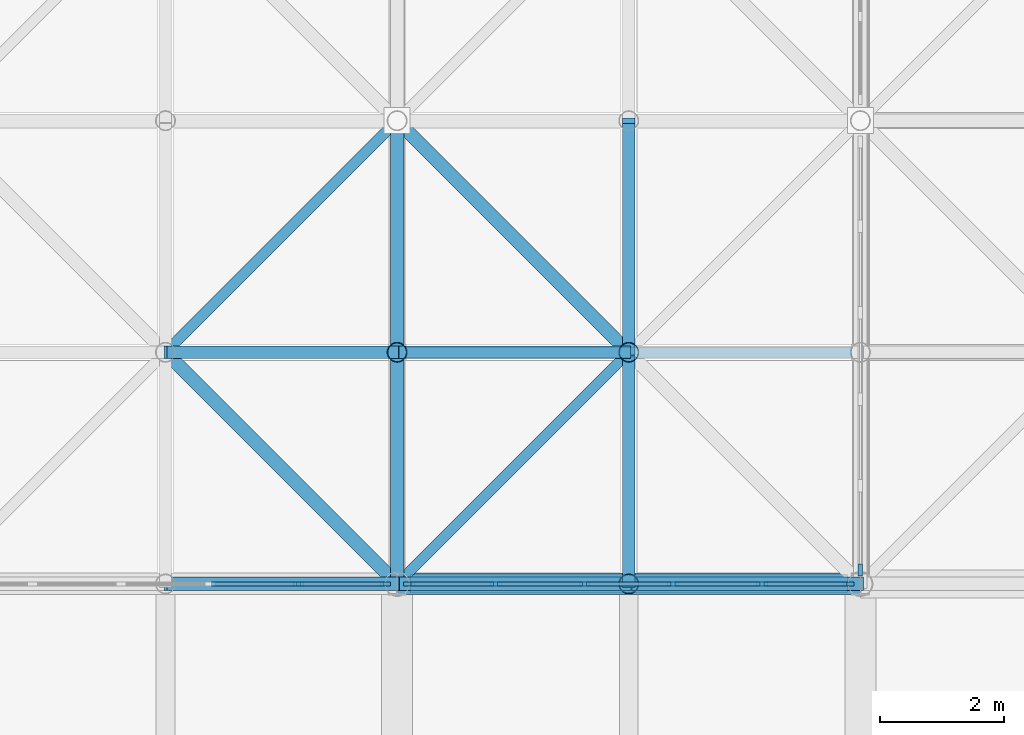
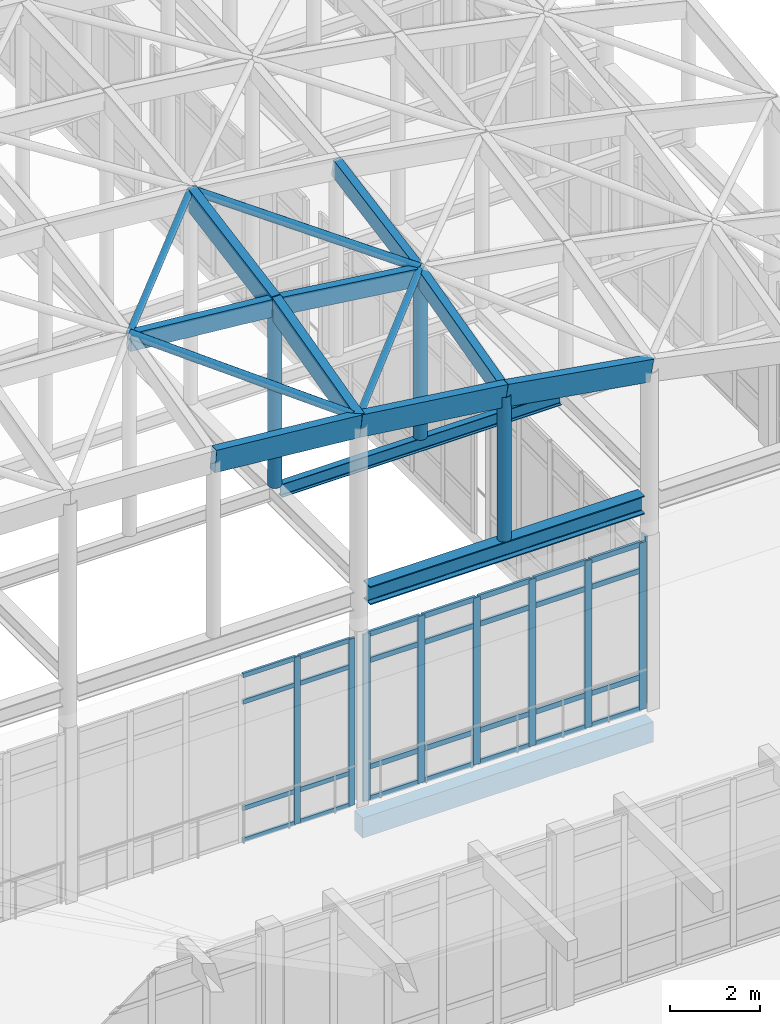
# One storey, part 42 of 131: 53 members, 3 beams, 3 elements without a shape of their own.
"""IFC4 building model written with IfcOpenShell, lengths in metres."""

from ifc_helpers import new_model, si_unit, direction, frame, origin, origin_2d, place, context, subcontext, project, spatial, rectangle, hollow_circle, i_section, extrude, material, layer, layer_set, material_profile, profile_set, type_object, element, aggregate, save


model = new_model("IFC4")

# Units and contexts
model_context = context("Model", 3, precision=1e-05, world=origin(), true_north=direction((0.0, 1.0)))
body_context = subcontext(model_context, "Body", "Model", "MODEL_VIEW")
ifc_project = project(units=[si_unit("LENGTHUNIT", "METRE"), si_unit("AREAUNIT", "SQUARE_METRE"), si_unit("VOLUMEUNIT", "CUBIC_METRE"), si_unit("PLANEANGLEUNIT", "RADIAN"), si_unit("MASSUNIT", "GRAM", prefix="KILO")], contexts=[model_context])

# Site, building, storey
site_placement = place(None, origin())
site = spatial("IfcSite", under=ifc_project, at=site_placement, CompositionType="ELEMENT")
building_placement = place(site_placement, origin())
building = spatial("IfcBuilding", under=site, at=building_placement, Name="Dalvernix Boulevard General Hospital", CompositionType="ELEMENT")
storey_placement = place(building_placement, frame((0.0, 0.0, 9.300048828125)))
storey = spatial("IfcBuildingStorey", under=building, at=storey_placement, Name="L02", CompositionType="ELEMENT", Elevation=9.300048828125)

# Beams
ifc_material_1 = material(Name="Steel S355", Category="steel")
ifc_material_profile_1 = material_profile(ifc_material_1, i_section(OverallWidth=0.300048828125, OverallDepth=0.5, WebThickness=0.014404296875, FlangeThickness=0.028076171875, FilletRadius=0.027099609375, at=origin_2d()), Name="HEB 500")
ifc_profile_set_1 = profile_set([ifc_material_profile_1], Name="Steel S355")
beam_type_1 = type_object("IfcBeamType", Name="BM-RB-02", PredefinedType="BEAM", material=ifc_profile_set_1)
beam_1_placement = place(storey_placement, frame((97.7099609375, 31.5, 5.64990234375), z_axis=(1.0, 0.0, 0.0), x_axis=(0.0, 1.0, 0.0)))
element("IfcBeam", 1, at=beam_1_placement, inside=storey, type_object=beam_type_1, Name="Gridshell Ring Beam S bay 6", PredefinedType="BEAM", context=body_context, shape_type="SweptSolid", body=[
    extrude(i_section(OverallWidth=0.300048828125, OverallDepth=0.5, WebThickness=0.014404296875, FlangeThickness=0.028076171875, FilletRadius=0.027099609375, at=origin_2d()), origin(), (0.0, 0.0, 1.0), 7.080078125),
])
ifc_material_profile_2 = material_profile(ifc_material_1, i_section(OverallWidth=0.169921875, OverallDepth=0.360107421875, WebThickness=0.008056640625, FlangeThickness=0.0126953125, FilletRadius=0.01806640625, at=origin_2d()), Name="IPE 360")
ifc_profile_set_2 = profile_set([ifc_material_profile_2], Name="Steel S355")
beam_type_2 = type_object("IfcBeamType", Name="BM-RB-08", PredefinedType="BEAM", material=ifc_profile_set_2)
beam_2_placement = place(storey_placement, frame((97.64208984375, 35.25, 6.219970703125), z_axis=(1.0, 0.0, 0.0), x_axis=(0.0, 1.0, 0.0)))
element("IfcBeam", 2, at=beam_2_placement, inside=storey, type_object=beam_type_2, Name="ROOF TRUSS Gridshell cross tie 10-1", PredefinedType="BEAM", context=body_context, shape_type="SweptSolid", body=[
    extrude(i_section(OverallWidth=0.169921875, OverallDepth=0.360107421875, WebThickness=0.008056640625, FlangeThickness=0.0126953125, FilletRadius=0.01806640625, at=origin_2d()), origin(), (0.0, 0.0, 1.0), 7.2158203125),
])
ifc_material_2 = material(Name="Concrete C35/45", Category="concrete")
ifc_material_profile_3 = material_profile(ifc_material_2, rectangle(XDim=0.35009765625, YDim=0.550048828125, at=origin_2d()), Name="RCB 350x550")
ifc_profile_set_3 = profile_set([ifc_material_profile_3], Name="Concrete C35/45")
beam_type_3 = type_object("IfcBeamType", Name="BM-SB-01-E", PredefinedType="SPANDREL", material=ifc_profile_set_3)
beam_3_placement = place(storey_placement, frame((97.5, 31.5, -0.594970703125), z_axis=(1.0, 0.0, 0.0), x_axis=(0.0, 1.0, 0.0)))
element("IfcBeam", 3, at=beam_3_placement, inside=storey, type_object=beam_type_3, Name="L02 E-W girder E:14-15", PredefinedType="SPANDREL", context=body_context, shape_type="SweptSolid", body=[
    extrude(rectangle(XDim=0.35009765625, YDim=0.550048828125, at=origin_2d()), origin(), (0.0, 0.0, 1.0), 7.5),
])

# Curtain wall, members
ifc_material_3 = material(Name="Thermally broken aluminium and solar-control glass curtain wall", Category="aluminium")
ifc_layer_1 = layer(ifc_material_3, 0.159912109375)
ifc_layer_set_1 = layer_set([ifc_layer_1], Name="Thermally broken aluminium and solar-control glass curtain wall (CW-CW-A-72x46)")
curtain_wall_type_1 = type_object("IfcCurtainWallType", Name="CW-CW-A-72x46", PredefinedType="USERDEFINED", material=ifc_layer_set_1)
curtain_wall_1_placement = place(storey_placement, origin())
curtain_wall_1 = element("IfcCurtainWall", 4, at=curtain_wall_1_placement, inside=storey, type_object=curtain_wall_type_1, Name="L02 curtain wall CW-A-72x46 12-4", ObjectType="GLAZED FACADE", PredefinedType="USERDEFINED")
ifc_material_4 = material(Name="Aluminium EN AW-6060", Category="aluminium")
ifc_material_profile_4 = material_profile(ifc_material_4, rectangle(XDim=0.06005859375, YDim=0.159912109375, at=origin_2d()), Name="ALU MULL 60x160")
ifc_profile_set_4 = profile_set([ifc_material_profile_4], Name="Aluminium EN AW-6060")
member_type_1 = type_object("IfcMemberType", Name="MEM-CW-M1", PredefinedType="MULLION", material=ifc_profile_set_4)
member_1_placement = place(storey_placement, frame((95.904052734375, 31.5, 0.0), z_axis=(0.0, 0.0, 1.0), x_axis=(0.0, 1.0, 0.0)))
member_1 = element("IfcMember", 5, at=member_1_placement, type_object=member_type_1, Name="CW-A-72x46 mullion 5", PredefinedType="MULLION", context=body_context, shape_type="SweptSolid", body=[
    extrude(rectangle(XDim=0.06005859375, YDim=0.159912109375, at=origin_2d()), origin(), (0.0, 0.0, 1.0), 4.550048828125),
])
member_2_placement = place(storey_placement, frame((97.31005859375, 31.5, 0.0), z_axis=(0.0, 0.0, 1.0), x_axis=(0.0, 1.0, 0.0)))
member_2 = element("IfcMember", 6, at=member_2_placement, type_object=member_type_1, Name="CW-A-72x46 mullion 6", PredefinedType="MULLION", context=body_context, shape_type="SweptSolid", body=[
    extrude(rectangle(XDim=0.06005859375, YDim=0.159912109375, at=origin_2d()), origin(), (0.0, 0.0, 1.0), 4.550048828125),
])

ifc_layer_2 = layer(ifc_material_3, 0.179931640625)
ifc_layer_set_2 = layer_set([ifc_layer_2], Name="Thermally broken aluminium and solar-control glass curtain wall (CW-CW-B-72x46)")
curtain_wall_type_2 = type_object("IfcCurtainWallType", Name="CW-CW-B-72x46", PredefinedType="USERDEFINED", material=ifc_layer_set_2)
curtain_wall_2_placement = place(storey_placement, origin())
curtain_wall_2 = element("IfcCurtainWall", 7, at=curtain_wall_2_placement, inside=storey, type_object=curtain_wall_type_2, Name="L02 curtain wall CW-B-72x46 13-4", ObjectType="GLAZED FACADE", PredefinedType="USERDEFINED")
ifc_material_profile_5 = material_profile(ifc_material_4, rectangle(XDim=0.06494140625, YDim=0.179931640625, at=origin_2d()), Name="ALU MULL 65x180")
ifc_profile_set_5 = profile_set([ifc_material_profile_5], Name="Aluminium EN AW-6060")
member_type_2 = type_object("IfcMemberType", Name="MEM-CW-M2", PredefinedType="MULLION", material=ifc_profile_set_5)
member_3_placement = place(storey_placement, frame((97.6923828125, 31.5, 0.0), z_axis=(0.0, 0.0, 1.0), x_axis=(0.0, 1.0, 0.0)))
member_3 = element("IfcMember", 8, at=member_3_placement, type_object=member_type_2, Name="CW-B-72x46 mullion 1", PredefinedType="MULLION", context=body_context, shape_type="SweptSolid", body=[
    extrude(rectangle(XDim=0.06494140625, YDim=0.179931640625, at=origin_2d()), origin(), (0.0, 0.0, 1.0), 4.550048828125),
])
member_4_placement = place(storey_placement, frame((99.095947265625, 31.5, 0.0), z_axis=(0.0, 0.0, 1.0), x_axis=(0.0, 1.0, 0.0)))
member_4 = element("IfcMember", 9, at=member_4_placement, type_object=member_type_2, Name="CW-B-72x46 mullion 2", PredefinedType="MULLION", context=body_context, shape_type="SweptSolid", body=[
    extrude(rectangle(XDim=0.06494140625, YDim=0.179931640625, at=origin_2d()), origin(), (0.0, 0.0, 1.0), 4.550048828125),
])
member_5_placement = place(storey_placement, frame((100.531982421875, 31.5, 0.0), z_axis=(0.0, 0.0, 1.0), x_axis=(0.0, 1.0, 0.0)))
member_5 = element("IfcMember", 10, at=member_5_placement, type_object=member_type_2, Name="CW-B-72x46 mullion 3", PredefinedType="MULLION", context=body_context, shape_type="SweptSolid", body=[
    extrude(rectangle(XDim=0.06494140625, YDim=0.179931640625, at=origin_2d()), origin(), (0.0, 0.0, 1.0), 4.550048828125),
])
member_6_placement = place(storey_placement, frame((101.968017578125, 31.5, 0.0), z_axis=(0.0, 0.0, 1.0), x_axis=(0.0, 1.0, 0.0)))
member_6 = element("IfcMember", 11, at=member_6_placement, type_object=member_type_2, Name="CW-B-72x46 mullion 4", PredefinedType="MULLION", context=body_context, shape_type="SweptSolid", body=[
    extrude(rectangle(XDim=0.06494140625, YDim=0.179931640625, at=origin_2d()), origin(), (0.0, 0.0, 1.0), 4.550048828125),
])
member_7_placement = place(storey_placement, frame((103.404052734375, 31.5, 0.0), z_axis=(0.0, 0.0, 1.0), x_axis=(0.0, 1.0, 0.0)))
member_7 = element("IfcMember", 12, at=member_7_placement, type_object=member_type_2, Name="CW-B-72x46 mullion 5", PredefinedType="MULLION", context=body_context, shape_type="SweptSolid", body=[
    extrude(rectangle(XDim=0.06494140625, YDim=0.179931640625, at=origin_2d()), origin(), (0.0, 0.0, 1.0), 4.550048828125),
])
member_8_placement = place(storey_placement, frame((104.8076171875, 31.5, 0.0), z_axis=(0.0, 0.0, 1.0), x_axis=(0.0, 1.0, 0.0)))
member_8 = element("IfcMember", 13, at=member_8_placement, type_object=member_type_2, Name="CW-B-72x46 mullion 6", PredefinedType="MULLION", context=body_context, shape_type="SweptSolid", body=[
    extrude(rectangle(XDim=0.06494140625, YDim=0.179931640625, at=origin_2d()), origin(), (0.0, 0.0, 1.0), 4.550048828125),
])

# Curtain wall, member
ifc_layer_3 = layer(ifc_material_3, 0.199951171875)
ifc_layer_set_3 = layer_set([ifc_layer_3], Name="Thermally broken aluminium and solar-control glass curtain wall (CW-CW-C-70x46)")
curtain_wall_type_3 = type_object("IfcCurtainWallType", Name="CW-CW-C-70x46", PredefinedType="USERDEFINED", material=ifc_layer_set_3)
curtain_wall_3_placement = place(storey_placement, origin())
curtain_wall_3 = element("IfcCurtainWall", 14, at=curtain_wall_3_placement, inside=storey, type_object=curtain_wall_type_3, Name="L02 curtain wall CW-C-70x46 14-4", ObjectType="GLAZED FACADE", PredefinedType="USERDEFINED")
ifc_material_profile_6 = material_profile(ifc_material_4, rectangle(XDim=0.070068359375, YDim=0.199951171875, at=origin_2d()), Name="ALU MULL 70x200")
ifc_profile_set_6 = profile_set([ifc_material_profile_6], Name="Aluminium EN AW-6060")
member_type_3 = type_object("IfcMemberType", Name="MEM-CW-M3", PredefinedType="MULLION", material=ifc_profile_set_6)
member_9_placement = place(storey_placement, frame((105.0, 31.72509765625, 0.0), z_axis=(0.0, 0.0, 1.0), x_axis=(-1.0, 0.0, 0.0)))
member_9 = element("IfcMember", 15, at=member_9_placement, type_object=member_type_3, Name="CW-C-70x46 mullion 1", PredefinedType="MULLION", context=body_context, shape_type="SweptSolid", body=[
    extrude(rectangle(XDim=0.070068359375, YDim=0.199951171875, at=origin_2d()), origin(), (0.0, 0.0, 1.0), 4.550048828125),
])
aggregate(curtain_wall_3, [member_9])

# Member
ifc_material_profile_7 = material_profile(ifc_material_4, rectangle(XDim=0.06005859375, YDim=0.1201171875, at=origin_2d()), Name="ALU TRAN 60x120")
ifc_profile_set_7 = profile_set([ifc_material_profile_7], Name="Aluminium EN AW-6060")
member_type_4 = type_object("IfcMemberType", Name="MEM-CW-T1", PredefinedType="USERDEFINED", material=ifc_profile_set_7)
member_10_placement = place(storey_placement, frame((94.498046875, 31.5, 0.030029296875), z_axis=(1.0, 0.0, 0.0), x_axis=(0.0, 1.0, 0.0)))
member_10 = element("IfcMember", 16, at=member_10_placement, type_object=member_type_4, Name="CW-A-72x46 transom 4.1", ObjectType="TRANSOM", PredefinedType="USERDEFINED", context=body_context, shape_type="SweptSolid", body=[
    extrude(rectangle(XDim=0.06005859375, YDim=0.1201171875, at=origin_2d()), origin(), (0.0, 0.0, 1.0), 1.3759765625),
])

member_11_placement = place(storey_placement, frame((94.498046875, 31.5, 0.89990234375), z_axis=(1.0, 0.0, 0.0), x_axis=(0.0, 1.0, 0.0)))
member_11 = element("IfcMember", 17, at=member_11_placement, type_object=member_type_4, Name="CW-A-72x46 transom 4.2", ObjectType="TRANSOM", PredefinedType="USERDEFINED", context=body_context, shape_type="SweptSolid", body=[
    extrude(rectangle(XDim=0.06005859375, YDim=0.1201171875, at=origin_2d()), origin(), (0.0, 0.0, 1.0), 1.3759765625),
])

member_12_placement = place(storey_placement, frame((94.498046875, 31.5, 3.800048828125), z_axis=(1.0, 0.0, 0.0), x_axis=(0.0, 1.0, 0.0)))
member_12 = element("IfcMember", 18, at=member_12_placement, type_object=member_type_4, Name="CW-A-72x46 transom 4.3", ObjectType="TRANSOM", PredefinedType="USERDEFINED", context=body_context, shape_type="SweptSolid", body=[
    extrude(rectangle(XDim=0.06005859375, YDim=0.1201171875, at=origin_2d()), origin(), (0.0, 0.0, 1.0), 1.3759765625),
])

member_13_placement = place(storey_placement, frame((94.498046875, 31.5, 4.52001953125), z_axis=(1.0, 0.0, 0.0), x_axis=(0.0, 1.0, 0.0)))
member_13 = element("IfcMember", 19, at=member_13_placement, type_object=member_type_4, Name="CW-A-72x46 transom 4.4", ObjectType="TRANSOM", PredefinedType="USERDEFINED", context=body_context, shape_type="SweptSolid", body=[
    extrude(rectangle(XDim=0.06005859375, YDim=0.1201171875, at=origin_2d()), origin(), (0.0, 0.0, 1.0), 1.3759765625),
])

member_14_placement = place(storey_placement, frame((95.93408203125, 31.5, 0.030029296875), z_axis=(1.0, 0.0, 0.0), x_axis=(0.0, 1.0, 0.0)))
member_14 = element("IfcMember", 20, at=member_14_placement, type_object=member_type_4, Name="CW-A-72x46 transom 5.1", ObjectType="TRANSOM", PredefinedType="USERDEFINED", context=body_context, shape_type="SweptSolid", body=[
    extrude(rectangle(XDim=0.06005859375, YDim=0.1201171875, at=origin_2d()), origin(), (0.0, 0.0, 1.0), 1.345947265625),
])

member_15_placement = place(storey_placement, frame((95.93408203125, 31.5, 0.89990234375), z_axis=(1.0, 0.0, 0.0), x_axis=(0.0, 1.0, 0.0)))
member_15 = element("IfcMember", 21, at=member_15_placement, type_object=member_type_4, Name="CW-A-72x46 transom 5.2", ObjectType="TRANSOM", PredefinedType="USERDEFINED", context=body_context, shape_type="SweptSolid", body=[
    extrude(rectangle(XDim=0.06005859375, YDim=0.1201171875, at=origin_2d()), origin(), (0.0, 0.0, 1.0), 1.345947265625),
])

member_16_placement = place(storey_placement, frame((95.93408203125, 31.5, 3.800048828125), z_axis=(1.0, 0.0, 0.0), x_axis=(0.0, 1.0, 0.0)))
member_16 = element("IfcMember", 22, at=member_16_placement, type_object=member_type_4, Name="CW-A-72x46 transom 5.3", ObjectType="TRANSOM", PredefinedType="USERDEFINED", context=body_context, shape_type="SweptSolid", body=[
    extrude(rectangle(XDim=0.06005859375, YDim=0.1201171875, at=origin_2d()), origin(), (0.0, 0.0, 1.0), 1.345947265625),
])

member_17_placement = place(storey_placement, frame((95.93408203125, 31.5, 4.52001953125), z_axis=(1.0, 0.0, 0.0), x_axis=(0.0, 1.0, 0.0)))
member_17 = element("IfcMember", 23, at=member_17_placement, type_object=member_type_4, Name="CW-A-72x46 transom 5.4", ObjectType="TRANSOM", PredefinedType="USERDEFINED", context=body_context, shape_type="SweptSolid", body=[
    extrude(rectangle(XDim=0.06005859375, YDim=0.1201171875, at=origin_2d()), origin(), (0.0, 0.0, 1.0), 1.345947265625),
])

aggregate(curtain_wall_1, [member_1, member_2, member_10, member_11, member_12, member_13, member_14, member_15, member_16, member_17])

ifc_material_profile_8 = material_profile(ifc_material_4, rectangle(XDim=0.06494140625, YDim=0.139892578125, at=origin_2d()), Name="ALU TRAN 65x140")
ifc_profile_set_8 = profile_set([ifc_material_profile_8], Name="Aluminium EN AW-6060")
member_type_5 = type_object("IfcMemberType", Name="MEM-CW-T2", PredefinedType="USERDEFINED", material=ifc_profile_set_8)
member_18_placement = place(storey_placement, frame((97.72509765625, 31.5, 0.032470703125), z_axis=(1.0, 0.0, 0.0), x_axis=(0.0, 1.0, 0.0)))
member_18 = element("IfcMember", 24, at=member_18_placement, type_object=member_type_5, Name="CW-B-72x46 transom 1.1", ObjectType="TRANSOM", PredefinedType="USERDEFINED", context=body_context, shape_type="SweptSolid", body=[
    extrude(rectangle(XDim=0.06494140625, YDim=0.139892578125, at=origin_2d()), origin(), (0.0, 0.0, 1.0), 1.33837890625),
])

member_19_placement = place(storey_placement, frame((97.72509765625, 31.5, 0.89990234375), z_axis=(1.0, 0.0, 0.0), x_axis=(0.0, 1.0, 0.0)))
member_19 = element("IfcMember", 25, at=member_19_placement, type_object=member_type_5, Name="CW-B-72x46 transom 1.2", ObjectType="TRANSOM", PredefinedType="USERDEFINED", context=body_context, shape_type="SweptSolid", body=[
    extrude(rectangle(XDim=0.06494140625, YDim=0.139892578125, at=origin_2d()), origin(), (0.0, 0.0, 1.0), 1.33837890625),
])

member_20_placement = place(storey_placement, frame((97.72509765625, 31.5, 3.800048828125), z_axis=(1.0, 0.0, 0.0), x_axis=(0.0, 1.0, 0.0)))
member_20 = element("IfcMember", 26, at=member_20_placement, type_object=member_type_5, Name="CW-B-72x46 transom 1.3", ObjectType="TRANSOM", PredefinedType="USERDEFINED", context=body_context, shape_type="SweptSolid", body=[
    extrude(rectangle(XDim=0.06494140625, YDim=0.139892578125, at=origin_2d()), origin(), (0.0, 0.0, 1.0), 1.33837890625),
])

member_21_placement = place(storey_placement, frame((97.72509765625, 31.5, 4.517333984375), z_axis=(1.0, 0.0, 0.0), x_axis=(0.0, 1.0, 0.0)))
member_21 = element("IfcMember", 27, at=member_21_placement, type_object=member_type_5, Name="CW-B-72x46 transom 1.4", ObjectType="TRANSOM", PredefinedType="USERDEFINED", context=body_context, shape_type="SweptSolid", body=[
    extrude(rectangle(XDim=0.06494140625, YDim=0.139892578125, at=origin_2d()), origin(), (0.0, 0.0, 1.0), 1.33837890625),
])

member_22_placement = place(storey_placement, frame((99.12841796875, 31.5, 0.032470703125), z_axis=(1.0, 0.0, 0.0), x_axis=(0.0, 1.0, 0.0)))
member_22 = element("IfcMember", 28, at=member_22_placement, type_object=member_type_5, Name="CW-B-72x46 transom 2.1", ObjectType="TRANSOM", PredefinedType="USERDEFINED", context=body_context, shape_type="SweptSolid", body=[
    extrude(rectangle(XDim=0.06494140625, YDim=0.139892578125, at=origin_2d()), origin(), (0.0, 0.0, 1.0), 1.37109375),
])

member_23_placement = place(storey_placement, frame((99.12841796875, 31.5, 0.89990234375), z_axis=(1.0, 0.0, 0.0), x_axis=(0.0, 1.0, 0.0)))
member_23 = element("IfcMember", 29, at=member_23_placement, type_object=member_type_5, Name="CW-B-72x46 transom 2.2", ObjectType="TRANSOM", PredefinedType="USERDEFINED", context=body_context, shape_type="SweptSolid", body=[
    extrude(rectangle(XDim=0.06494140625, YDim=0.139892578125, at=origin_2d()), origin(), (0.0, 0.0, 1.0), 1.37109375),
])

member_24_placement = place(storey_placement, frame((99.12841796875, 31.5, 3.800048828125), z_axis=(1.0, 0.0, 0.0), x_axis=(0.0, 1.0, 0.0)))
member_24 = element("IfcMember", 30, at=member_24_placement, type_object=member_type_5, Name="CW-B-72x46 transom 2.3", ObjectType="TRANSOM", PredefinedType="USERDEFINED", context=body_context, shape_type="SweptSolid", body=[
    extrude(rectangle(XDim=0.06494140625, YDim=0.139892578125, at=origin_2d()), origin(), (0.0, 0.0, 1.0), 1.37109375),
])

member_25_placement = place(storey_placement, frame((99.12841796875, 31.5, 4.517333984375), z_axis=(1.0, 0.0, 0.0), x_axis=(0.0, 1.0, 0.0)))
member_25 = element("IfcMember", 31, at=member_25_placement, type_object=member_type_5, Name="CW-B-72x46 transom 2.4", ObjectType="TRANSOM", PredefinedType="USERDEFINED", context=body_context, shape_type="SweptSolid", body=[
    extrude(rectangle(XDim=0.06494140625, YDim=0.139892578125, at=origin_2d()), origin(), (0.0, 0.0, 1.0), 1.37109375),
])

member_26_placement = place(storey_placement, frame((100.564453125, 31.5, 0.032470703125), z_axis=(1.0, 0.0, 0.0), x_axis=(0.0, 1.0, 0.0)))
member_26 = element("IfcMember", 32, at=member_26_placement, type_object=member_type_5, Name="CW-B-72x46 transom 3.1", ObjectType="TRANSOM", PredefinedType="USERDEFINED", context=body_context, shape_type="SweptSolid", body=[
    extrude(rectangle(XDim=0.06494140625, YDim=0.139892578125, at=origin_2d()), origin(), (0.0, 0.0, 1.0), 1.37109375),
])

member_27_placement = place(storey_placement, frame((100.564453125, 31.5, 0.89990234375), z_axis=(1.0, 0.0, 0.0), x_axis=(0.0, 1.0, 0.0)))
member_27 = element("IfcMember", 33, at=member_27_placement, type_object=member_type_5, Name="CW-B-72x46 transom 3.2", ObjectType="TRANSOM", PredefinedType="USERDEFINED", context=body_context, shape_type="SweptSolid", body=[
    extrude(rectangle(XDim=0.06494140625, YDim=0.139892578125, at=origin_2d()), origin(), (0.0, 0.0, 1.0), 1.37109375),
])

member_28_placement = place(storey_placement, frame((100.564453125, 31.5, 3.800048828125), z_axis=(1.0, 0.0, 0.0), x_axis=(0.0, 1.0, 0.0)))
member_28 = element("IfcMember", 34, at=member_28_placement, type_object=member_type_5, Name="CW-B-72x46 transom 3.3", ObjectType="TRANSOM", PredefinedType="USERDEFINED", context=body_context, shape_type="SweptSolid", body=[
    extrude(rectangle(XDim=0.06494140625, YDim=0.139892578125, at=origin_2d()), origin(), (0.0, 0.0, 1.0), 1.37109375),
])

member_29_placement = place(storey_placement, frame((100.564453125, 31.5, 4.517333984375), z_axis=(1.0, 0.0, 0.0), x_axis=(0.0, 1.0, 0.0)))
member_29 = element("IfcMember", 35, at=member_29_placement, type_object=member_type_5, Name="CW-B-72x46 transom 3.4", ObjectType="TRANSOM", PredefinedType="USERDEFINED", context=body_context, shape_type="SweptSolid", body=[
    extrude(rectangle(XDim=0.06494140625, YDim=0.139892578125, at=origin_2d()), origin(), (0.0, 0.0, 1.0), 1.37109375),
])

member_30_placement = place(storey_placement, frame((102.00048828125, 31.5, 0.032470703125), z_axis=(1.0, 0.0, 0.0), x_axis=(0.0, 1.0, 0.0)))
member_30 = element("IfcMember", 36, at=member_30_placement, type_object=member_type_5, Name="CW-B-72x46 transom 4.1", ObjectType="TRANSOM", PredefinedType="USERDEFINED", context=body_context, shape_type="SweptSolid", body=[
    extrude(rectangle(XDim=0.06494140625, YDim=0.139892578125, at=origin_2d()), origin(), (0.0, 0.0, 1.0), 1.37109375),
])

member_31_placement = place(storey_placement, frame((102.00048828125, 31.5, 0.89990234375), z_axis=(1.0, 0.0, 0.0), x_axis=(0.0, 1.0, 0.0)))
member_31 = element("IfcMember", 37, at=member_31_placement, type_object=member_type_5, Name="CW-B-72x46 transom 4.2", ObjectType="TRANSOM", PredefinedType="USERDEFINED", context=body_context, shape_type="SweptSolid", body=[
    extrude(rectangle(XDim=0.06494140625, YDim=0.139892578125, at=origin_2d()), origin(), (0.0, 0.0, 1.0), 1.37109375),
])

member_32_placement = place(storey_placement, frame((102.00048828125, 31.5, 3.800048828125), z_axis=(1.0, 0.0, 0.0), x_axis=(0.0, 1.0, 0.0)))
member_32 = element("IfcMember", 38, at=member_32_placement, type_object=member_type_5, Name="CW-B-72x46 transom 4.3", ObjectType="TRANSOM", PredefinedType="USERDEFINED", context=body_context, shape_type="SweptSolid", body=[
    extrude(rectangle(XDim=0.06494140625, YDim=0.139892578125, at=origin_2d()), origin(), (0.0, 0.0, 1.0), 1.37109375),
])

member_33_placement = place(storey_placement, frame((102.00048828125, 31.5, 4.517333984375), z_axis=(1.0, 0.0, 0.0), x_axis=(0.0, 1.0, 0.0)))
member_33 = element("IfcMember", 39, at=member_33_placement, type_object=member_type_5, Name="CW-B-72x46 transom 4.4", ObjectType="TRANSOM", PredefinedType="USERDEFINED", context=body_context, shape_type="SweptSolid", body=[
    extrude(rectangle(XDim=0.06494140625, YDim=0.139892578125, at=origin_2d()), origin(), (0.0, 0.0, 1.0), 1.37109375),
])

member_34_placement = place(storey_placement, frame((103.4365234375, 31.5, 0.032470703125), z_axis=(1.0, 0.0, 0.0), x_axis=(0.0, 1.0, 0.0)))
member_34 = element("IfcMember", 40, at=member_34_placement, type_object=member_type_5, Name="CW-B-72x46 transom 5.1", ObjectType="TRANSOM", PredefinedType="USERDEFINED", context=body_context, shape_type="SweptSolid", body=[
    extrude(rectangle(XDim=0.06494140625, YDim=0.139892578125, at=origin_2d()), origin(), (0.0, 0.0, 1.0), 1.33837890625),
])

member_35_placement = place(storey_placement, frame((103.4365234375, 31.5, 0.89990234375), z_axis=(1.0, 0.0, 0.0), x_axis=(0.0, 1.0, 0.0)))
member_35 = element("IfcMember", 41, at=member_35_placement, type_object=member_type_5, Name="CW-B-72x46 transom 5.2", ObjectType="TRANSOM", PredefinedType="USERDEFINED", context=body_context, shape_type="SweptSolid", body=[
    extrude(rectangle(XDim=0.06494140625, YDim=0.139892578125, at=origin_2d()), origin(), (0.0, 0.0, 1.0), 1.33837890625),
])

member_36_placement = place(storey_placement, frame((103.4365234375, 31.5, 3.800048828125), z_axis=(1.0, 0.0, 0.0), x_axis=(0.0, 1.0, 0.0)))
member_36 = element("IfcMember", 42, at=member_36_placement, type_object=member_type_5, Name="CW-B-72x46 transom 5.3", ObjectType="TRANSOM", PredefinedType="USERDEFINED", context=body_context, shape_type="SweptSolid", body=[
    extrude(rectangle(XDim=0.06494140625, YDim=0.139892578125, at=origin_2d()), origin(), (0.0, 0.0, 1.0), 1.33837890625),
])

member_37_placement = place(storey_placement, frame((103.4365234375, 31.5, 4.517333984375), z_axis=(1.0, 0.0, 0.0), x_axis=(0.0, 1.0, 0.0)))
member_37 = element("IfcMember", 43, at=member_37_placement, type_object=member_type_5, Name="CW-B-72x46 transom 5.4", ObjectType="TRANSOM", PredefinedType="USERDEFINED", context=body_context, shape_type="SweptSolid", body=[
    extrude(rectangle(XDim=0.06494140625, YDim=0.139892578125, at=origin_2d()), origin(), (0.0, 0.0, 1.0), 1.33837890625),
])

aggregate(curtain_wall_2, [member_3, member_4, member_5, member_6, member_7, member_8, member_18, member_19, member_20, member_21, member_22, member_23, member_24, member_25, member_26, member_27, member_28, member_29, member_30, member_31, member_32, member_33, member_34, member_35, member_36, member_37])

# Members
ifc_material_5 = material(Name="Glulam GL28h", Category="wood")
ifc_material_profile_9 = material_profile(ifc_material_5, rectangle(XDim=0.219970703125, YDim=0.60009765625, at=origin_2d()), Name="GL28h 220x600")
ifc_profile_set_9 = profile_set([ifc_material_profile_9], Name="Glulam GL28h")
member_type_6 = type_object("IfcMemberType", Name="MEM-GS-C1", PredefinedType="CHORD", material=ifc_profile_set_9)
member_38_placement = place(storey_placement, frame((93.75, 31.5, 10.67236328125), z_axis=(0.995747945021, 0.0, -0.092119650382), x_axis=(0.0, 1.0, 0.0)))
element("IfcMember", 44, at=member_38_placement, inside=storey, type_object=member_type_6, Name="ROOF TRUSS Gridshell E-W glulam rib 10-1", PredefinedType="CHORD", context=body_context, shape_type="SweptSolid", body=[
    extrude(rectangle(XDim=0.219970703125, YDim=0.60009765625, at=origin_2d()), origin(), (0.0, 0.0, 1.0), 3.76611328125),
])
member_39_placement = place(storey_placement, frame((97.5, 31.5, 10.325439453125), z_axis=(0.99171987465, 0.0, -0.128419975956), x_axis=(0.0, 1.0, 0.0)))
element("IfcMember", 45, at=member_39_placement, inside=storey, type_object=member_type_6, Name="ROOF TRUSS Gridshell E-W glulam rib 11-1", PredefinedType="CHORD", context=body_context, shape_type="SweptSolid", body=[
    extrude(rectangle(XDim=0.219970703125, YDim=0.60009765625, at=origin_2d()), origin(), (0.0, 0.0, 1.0), 3.78125),
])
member_40_placement = place(storey_placement, frame((101.25, 31.5, 9.83984375), z_axis=(0.98641474393, 0.0, -0.164274017902), x_axis=(0.0, 1.0, 0.0)))
element("IfcMember", 46, at=member_40_placement, inside=storey, type_object=member_type_6, Name="ROOF TRUSS Gridshell E-W glulam rib 12-1", PredefinedType="CHORD", context=body_context, shape_type="SweptSolid", body=[
    extrude(rectangle(XDim=0.219970703125, YDim=0.60009765625, at=origin_2d()), origin(), (0.0, 0.0, 1.0), 3.8017578125),
])
member_41_placement = place(storey_placement, frame((97.5, 31.5, 10.325439453125), z_axis=(0.0, 0.968610158303, 0.248584716408), x_axis=(-1.0, 0.0, 0.0)))
element("IfcMember", 47, at=member_41_placement, inside=storey, type_object=member_type_6, Name="ROOF TRUSS Gridshell N-S glulam rib 11-1", PredefinedType="CHORD", context=body_context, shape_type="SweptSolid", body=[
    extrude(rectangle(XDim=0.219970703125, YDim=0.60009765625, at=origin_2d()), origin(), (0.0, 0.0, 1.0), 3.87158203125),
])
member_42_placement = place(storey_placement, frame((97.5, 35.25, 11.287841796875), z_axis=(0.0, 0.983606557377, 0.180327868852), x_axis=(-1.0, 0.0, 0.0)))
element("IfcMember", 48, at=member_42_placement, inside=storey, type_object=member_type_6, Name="ROOF TRUSS Gridshell N-S glulam rib 11-2", PredefinedType="CHORD", context=body_context, shape_type="SweptSolid", body=[
    extrude(rectangle(XDim=0.219970703125, YDim=0.60009765625, at=origin_2d()), origin(), (0.0, 0.0, 1.0), 3.8125),
])
ifc_material_profile_10 = material_profile(ifc_material_5, rectangle(XDim=0.199951171875, YDim=0.47998046875, at=origin_2d()), Name="GL28h 200x480")
ifc_profile_set_10 = profile_set([ifc_material_profile_10], Name="Glulam GL28h")
member_type_7 = type_object("IfcMemberType", Name="MEM-GS-C2", PredefinedType="CHORD", material=ifc_profile_set_10)
member_43_placement = place(storey_placement, frame((93.75, 35.25, 11.634765625), z_axis=(0.995747945021, 0.0, -0.092119650382), x_axis=(0.0, 1.0, 0.0)))
element("IfcMember", 49, at=member_43_placement, inside=storey, type_object=member_type_7, Name="ROOF TRUSS Gridshell E-W glulam rib 10-2", PredefinedType="CHORD", context=body_context, shape_type="SweptSolid", body=[
    extrude(rectangle(XDim=0.199951171875, YDim=0.47998046875, at=origin_2d()), origin(), (0.0, 0.0, 1.0), 3.76611328125),
])
member_44_placement = place(storey_placement, frame((97.5, 35.25, 11.287841796875), z_axis=(0.99171987465, 0.0, -0.128419975956), x_axis=(0.0, 1.0, 0.0)))
element("IfcMember", 50, at=member_44_placement, inside=storey, type_object=member_type_7, Name="ROOF TRUSS Gridshell E-W glulam rib 11-2", PredefinedType="CHORD", context=body_context, shape_type="SweptSolid", body=[
    extrude(rectangle(XDim=0.199951171875, YDim=0.47998046875, at=origin_2d()), origin(), (0.0, 0.0, 1.0), 3.78125),
])
member_45_placement = place(storey_placement, frame((101.25, 31.5, 9.83984375), z_axis=(0.0, 0.968610158303, 0.248584716408), x_axis=(-1.0, 0.0, 0.0)))
element("IfcMember", 51, at=member_45_placement, inside=storey, type_object=member_type_7, Name="ROOF TRUSS Gridshell N-S glulam rib 12-1", PredefinedType="CHORD", context=body_context, shape_type="SweptSolid", body=[
    extrude(rectangle(XDim=0.199951171875, YDim=0.47998046875, at=origin_2d()), origin(), (0.0, 0.0, 1.0), 3.87158203125),
])
member_46_placement = place(storey_placement, frame((101.25, 35.25, 10.80224609375), z_axis=(0.0, 0.983606557377, 0.180327868852), x_axis=(-1.0, 0.0, 0.0)))
element("IfcMember", 52, at=member_46_placement, inside=storey, type_object=member_type_7, Name="ROOF TRUSS Gridshell N-S glulam rib 12-2", PredefinedType="CHORD", context=body_context, shape_type="SweptSolid", body=[
    extrude(rectangle(XDim=0.199951171875, YDim=0.47998046875, at=origin_2d()), origin(), (0.0, 0.0, 1.0), 3.8125),
])
ifc_material_profile_11 = material_profile(ifc_material_1, hollow_circle(Radius=0.161865234375, WallThickness=0.012451171875, at=origin_2d()), Name="CHS 323.9x12.5")
ifc_profile_set_11 = profile_set([ifc_material_profile_11], Name="Steel S355")
member_type_8 = type_object("IfcMemberType", Name="MEM-GS-C3", PredefinedType="CHORD", material=ifc_profile_set_11)
member_47_placement = place(storey_placement, frame((101.25, 31.5, 5.89990234375), z_axis=(0.0, 0.0, 1.0), x_axis=(1.0, 0.0, 0.0)))
element("IfcMember", 53, at=member_47_placement, inside=storey, type_object=member_type_8, Name="Gridshell edge mullion 11-0", PredefinedType="CHORD", context=body_context, shape_type="SweptSolid", body=[
    extrude(hollow_circle(Radius=0.161865234375, WallThickness=0.012451171875, at=origin_2d()), origin(), (0.0, 0.0, 1.0), 3.93994140625),
])
member_48_placement = place(storey_placement, frame((97.5, 35.25, 6.39990234375), z_axis=(0.0, 0.0, 1.0), x_axis=(1.0, 0.0, 0.0)))
element("IfcMember", 54, at=member_48_placement, inside=storey, type_object=member_type_8, Name="ROOF TRUSS Gridshell arch queen post 10-1", PredefinedType="CHORD", context=body_context, shape_type="SweptSolid", body=[
    extrude(hollow_circle(Radius=0.161865234375, WallThickness=0.012451171875, at=origin_2d()), origin(), (0.0, 0.0, 1.0), 4.887939453125),
])
member_49_placement = place(storey_placement, frame((101.25, 35.25, 6.39990234375), z_axis=(0.0, 0.0, 1.0), x_axis=(1.0, 0.0, 0.0)))
element("IfcMember", 55, at=member_49_placement, inside=storey, type_object=member_type_8, Name="ROOF TRUSS Gridshell arch queen post 11-1", PredefinedType="CHORD", context=body_context, shape_type="SweptSolid", body=[
    extrude(hollow_circle(Radius=0.161865234375, WallThickness=0.012451171875, at=origin_2d()), origin(), (0.0, 0.0, 1.0), 4.40234375),
])
ifc_material_profile_12 = material_profile(ifc_material_1, hollow_circle(Radius=0.084228515625, WallThickness=0.00634765625, at=origin_2d()), Name="CHS 168.3x6.3")
ifc_profile_set_12 = profile_set([ifc_material_profile_12], Name="Steel S355")
member_type_9 = type_object("IfcMemberType", Name="MEM-GSD-01", PredefinedType="BRACE", material=ifc_profile_set_12)
member_50_placement = place(storey_placement, frame((93.75, 35.25, 11.824951171875), z_axis=(0.705653163492, 0.705653163492, 0.064087640825), x_axis=(-0.707106781187, 0.707106781187, 0.0)))
element("IfcMember", 56, at=member_50_placement, inside=storey, type_object=member_type_9, Name="ROOF TRUSS Gridshell diagrid tube 10-2", PredefinedType="BRACE", context=body_context, shape_type="SweptSolid", body=[
    extrude(hollow_circle(Radius=0.084228515625, WallThickness=0.00634765625, at=origin_2d()), origin(), (0.0, 0.0, 1.0), 5.314208984375),
])
member_51_placement = place(storey_placement, frame((97.5, 31.5, 10.515380859375), z_axis=(0.704266091131, 0.704266091131, 0.089546333072), x_axis=(-0.707106781187, 0.707106781187, 0.0)))
element("IfcMember", 57, at=member_51_placement, inside=storey, type_object=member_type_9, Name="ROOF TRUSS Gridshell diagrid tube 11-1", PredefinedType="BRACE", context=body_context, shape_type="SweptSolid", body=[
    extrude(hollow_circle(Radius=0.084228515625, WallThickness=0.00634765625, at=origin_2d()), origin(), (0.0, 0.0, 1.0), 5.32470703125),
])
ifc_material_profile_13 = material_profile(ifc_material_1, hollow_circle(Radius=0.109619140625, WallThickness=0.008056640625, at=origin_2d()), Name="CHS 219.1x8.0")
ifc_profile_set_13 = profile_set([ifc_material_profile_13], Name="Steel S355")
member_type_10 = type_object("IfcMemberType", Name="MEM-GSD-02", PredefinedType="BRACE", material=ifc_profile_set_13)
member_52_placement = place(storey_placement, frame((97.5, 31.5, 10.515380859375), z_axis=(-0.68648656875, 0.68648656875, 0.239733981431), x_axis=(-0.707106781187, -0.707106781187, 0.0)))
element("IfcMember", 58, at=member_52_placement, inside=storey, type_object=member_type_10, Name="ROOF TRUSS Gridshell diagrid tube 10-1", PredefinedType="BRACE", context=body_context, shape_type="SweptSolid", body=[
    extrude(hollow_circle(Radius=0.109619140625, WallThickness=0.008056640625, at=origin_2d()), origin(), (0.0, 0.0, 1.0), 5.462646484375),
])
member_53_placement = place(storey_placement, frame((101.25, 35.25, 10.9921875), z_axis=(-0.690410761728, 0.690410761728, 0.216023054744), x_axis=(-0.707106781187, -0.707106781187, 0.0)))
element("IfcMember", 59, at=member_53_placement, inside=storey, type_object=member_type_10, Name="ROOF TRUSS Gridshell diagrid tube 11-2", PredefinedType="BRACE", context=body_context, shape_type="SweptSolid", body=[
    extrude(hollow_circle(Radius=0.109619140625, WallThickness=0.008056640625, at=origin_2d()), origin(), (0.0, 0.0, 1.0), 5.431640625),
])

save(model, "model.ifc")
